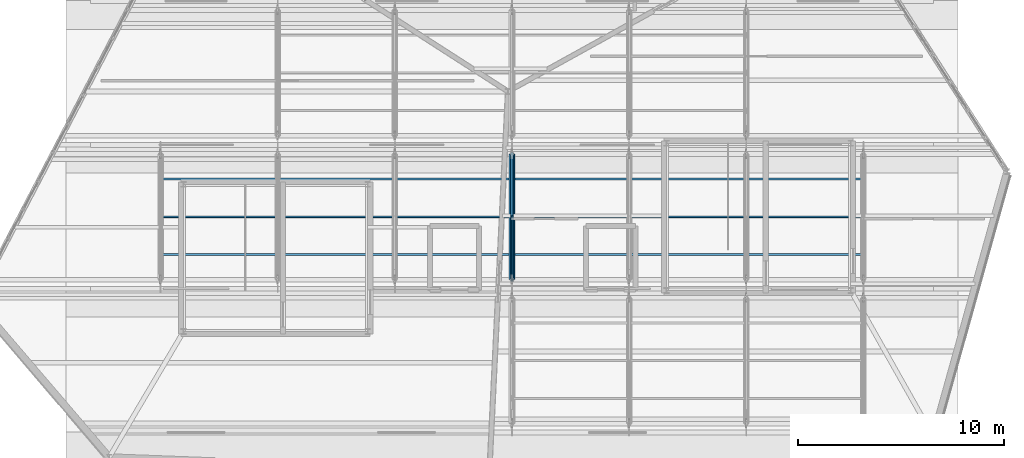
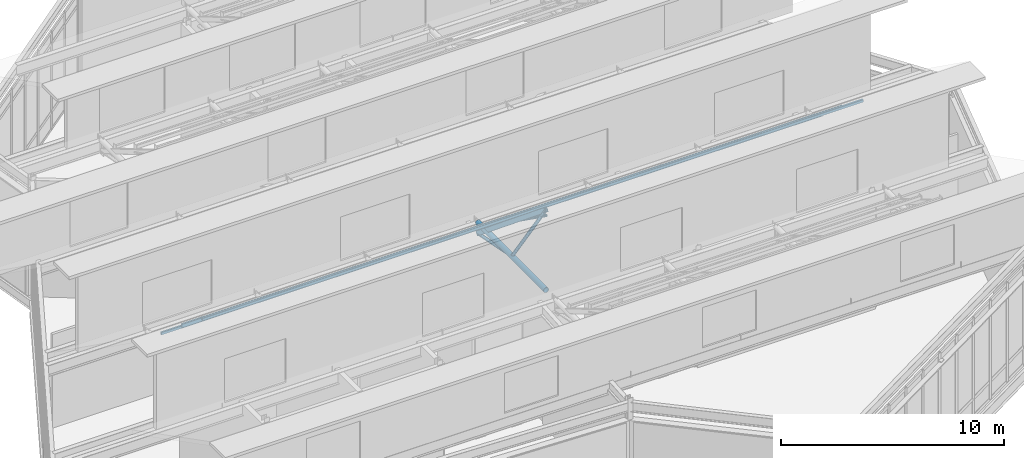
# One storey, part 18 of 55: 5 members, 3 beams.
"""IFC4 building model written with IfcOpenShell, lengths in metres."""

from ifc_helpers import new_model, si_unit, direction, frame, origin, origin_2d, place, context, subcontext, project, spatial, hollow_rectangle, hollow_circle, extrude, material, material_profile, profile_set, type_object, element, save


model = new_model("IFC4")

# Units and contexts
model_context = context("Model", 3, precision=1e-05, world=origin(), true_north=direction((0.0, 1.0)))
body_context = subcontext(model_context, "Body", "Model", "MODEL_VIEW")
ifc_project = project(units=[si_unit("LENGTHUNIT", "METRE"), si_unit("AREAUNIT", "SQUARE_METRE"), si_unit("VOLUMEUNIT", "CUBIC_METRE"), si_unit("PLANEANGLEUNIT", "RADIAN"), si_unit("MASSUNIT", "GRAM", prefix="KILO")], contexts=[model_context])

# Site, building, storey
site_placement = place(None, origin())
site = spatial("IfcSite", under=ifc_project, at=site_placement, CompositionType="ELEMENT")
building_placement = place(site_placement, origin())
building = spatial("IfcBuilding", under=site, at=building_placement, Name="Tameran Prism Museum", CompositionType="ELEMENT")
storey_placement = place(building_placement, frame((0.0, 0.0, 28.800048828125)))
storey = spatial("IfcBuildingStorey", under=building, at=storey_placement, Name="L05", CompositionType="ELEMENT", Elevation=28.800048828125)

# Beams
ifc_material_1 = material(Name="Steel Grade C350L0 (350 MPa)", Category="steel")
ifc_material_profile_1 = material_profile(ifc_material_1, hollow_rectangle(XDim=0.10009765625, YDim=0.14990234375, WallThickness=0.006103515625, InnerFilletRadius=0.009033203125, OuterFilletRadius=0.014892578125, at=origin_2d()))
ifc_profile_set_1 = profile_set([ifc_material_profile_1])
beam_type_1 = type_object("IfcBeamType", Name="BM-PUR150", PredefinedType="USERDEFINED", material=ifc_profile_set_1)
for number, where, z_axis, x_axis, name in (
    (1, (101.89990234375, 81.1640625, 10.0390625), (1.0, 0.0, 0.0), (0.0, 1.0, 0.0), "Sawtooth Purlin PR-007"),
    (2, (101.89990234375, 84.8359375, 7.0390625), (1.0, 0.0, 0.0), (0.0, 1.0, 0.0), "Sawtooth Purlin PR-009"),
):
    element("IfcBeam", number, at=place(storey_placement, frame(where, z_axis=z_axis, x_axis=x_axis)), inside=storey, type_object=beam_type_1, Name=name, ObjectType="PURLIN", PredefinedType="USERDEFINED", context=body_context, shape_type="SweptSolid", body=[
        extrude(hollow_rectangle(XDim=0.10009765625, YDim=0.14990234375, WallThickness=0.006103515625, InnerFilletRadius=0.009033203125, OuterFilletRadius=0.014892578125, at=origin_2d()), origin(), (0.0, 0.0, 1.0), 34.2001953125),
    ])
ifc_material_2 = material(Name="Steel Grade C350L0 (350 MPa)", Category="steel")
ifc_material_profile_2 = material_profile(ifc_material_2, hollow_rectangle(XDim=0.10009765625, YDim=0.199951171875, WallThickness=0.008056640625, InnerFilletRadius=0.011962890625, OuterFilletRadius=0.02001953125, at=origin_2d()))
ifc_profile_set_2 = profile_set([ifc_material_profile_2])
beam_type_2 = type_object("IfcBeamType", Name="BM-PUR200", PredefinedType="USERDEFINED", material=ifc_profile_set_2)
beam_placement = place(storey_placement, frame((101.89990234375, 83.0, 8.571044921875), z_axis=(1.0, 0.0, 0.0), x_axis=(0.0, 1.0, 0.0)))
element("IfcBeam", 3, at=beam_placement, inside=storey, type_object=beam_type_2, Name="Sawtooth Purlin PR-008", ObjectType="PURLIN", PredefinedType="USERDEFINED", context=body_context, shape_type="SweptSolid", body=[
    extrude(hollow_rectangle(XDim=0.10009765625, YDim=0.199951171875, WallThickness=0.008056640625, InnerFilletRadius=0.011962890625, OuterFilletRadius=0.02001953125, at=origin_2d()), origin(), (0.0, 0.0, 1.0), 34.2001953125),
])

# Members
ifc_material_3 = material(Name="Steel Grade C350L0 (350 MPa)", Category="steel")
ifc_material_profile_3 = material_profile(ifc_material_3, hollow_circle(Radius=0.084228515625, WallThickness=0.007080078125, at=origin_2d()))
ifc_profile_set_3 = profile_set([ifc_material_profile_3])
member_type_1 = type_object("IfcMemberType", Name="MM-BR-CHS168", PredefinedType="BRACE", material=ifc_profile_set_3)
member_1_placement = place(storey_placement, frame((119.0, 83.0, 6.385986328125), z_axis=(0.0, -0.570800267729, 0.821088944244), x_axis=(1.0, 0.0, 0.0)))
element("IfcMember", 4, at=member_1_placement, inside=storey, type_object=member_type_1, Name="Sawtooth Brace STM-0054", PredefinedType="BRACE", context=body_context, shape_type="SweptSolid", body=[
    extrude(hollow_circle(Radius=0.084228515625, WallThickness=0.007080078125, at=origin_2d()), origin(), (0.0, 0.0, 1.0), 5.361083984375),
])
member_2_placement = place(storey_placement, frame((119.0, 83.0, 6.385986328125), z_axis=(0.0, 0.981426640065, -0.191837822575), x_axis=(-1.0, 0.0, 0.0)))
element("IfcMember", 5, at=member_2_placement, inside=storey, type_object=member_type_1, Name="Sawtooth Brace STM-0055", PredefinedType="BRACE", context=body_context, shape_type="SweptSolid", body=[
    extrude(hollow_circle(Radius=0.084228515625, WallThickness=0.007080078125, at=origin_2d()), origin(), (0.0, 0.0, 1.0), 3.117919921875),
])
ifc_material_4 = material(Name="Steel Grade C350L0 (350 MPa)", Category="steel")
ifc_material_profile_4 = material_profile(ifc_material_4, hollow_circle(Radius=0.136474609375, WallThickness=0.00927734375, at=origin_2d()))
ifc_profile_set_4 = profile_set([ifc_material_profile_4])
member_type_2 = type_object("IfcMemberType", Name="MM-CH-CHS273", PredefinedType="CHORD", material=ifc_profile_set_4)
member_3_placement = place(storey_placement, frame((119.0, 79.93994140625, 6.385986328125), z_axis=(0.0, 1.0, 0.0), x_axis=(-1.0, 0.0, 0.0)))
element("IfcMember", 6, at=member_3_placement, inside=storey, type_object=member_type_2, Name="Sawtooth Chord STM-0050", PredefinedType="CHORD", context=body_context, shape_type="SweptSolid", body=[
    extrude(hollow_circle(Radius=0.136474609375, WallThickness=0.00927734375, at=origin_2d()), origin(), (0.0, 0.0, 1.0), 6.1201171875),
])
ifc_material_5 = material(Name="Steel Grade C350L0 (350 MPa)", Category="steel")
ifc_material_profile_5 = material_profile(ifc_material_5, hollow_rectangle(XDim=0.14990234375, YDim=0.25, WallThickness=0.009033203125, InnerFilletRadius=0.013427734375, OuterFilletRadius=0.0224609375, at=origin_2d()))
ifc_profile_set_5 = profile_set([ifc_material_profile_5])
member_type_3 = type_object("IfcMemberType", Name="MM-RF-RHS250", PredefinedType="RAFTER", material=ifc_profile_set_5)
member_4_placement = place(storey_placement, frame((119.0, 79.93994140625, 10.787841796875), z_axis=(0.0, 0.774414062505, -0.632679112817), x_axis=(-1.0, 0.0, 0.0)))
element("IfcMember", 7, at=member_4_placement, inside=storey, type_object=member_type_3, Name="Sawtooth Rafter STM-0051", PredefinedType="RAFTER", context=body_context, shape_type="SweptSolid", body=[
    extrude(hollow_rectangle(XDim=0.14990234375, YDim=0.25, WallThickness=0.009033203125, InnerFilletRadius=0.013427734375, OuterFilletRadius=0.0224609375, at=origin_2d()), origin(), (0.0, 0.0, 1.0), 7.90283203125),
])
ifc_material_6 = material(Name="Steel Grade C350L0 (350 MPa)", Category="steel")
ifc_material_profile_6 = material_profile(ifc_material_6, hollow_circle(Radius=0.06982421875, WallThickness=0.00634765625, at=origin_2d()))
ifc_profile_set_6 = profile_set([ifc_material_profile_6])
member_type_4 = type_object("IfcMemberType", Name="MM-ST-CHS140", PredefinedType="STRUT", material=ifc_profile_set_6)
member_5_placement = place(storey_placement, frame((119.0, 79.93994140625, 10.468017578125), z_axis=(0.0, 0.814435342728, -0.580254317102), x_axis=(-1.0, 0.0, 0.0)))
element("IfcMember", 8, at=member_5_placement, inside=storey, type_object=member_type_4, Name="Sawtooth Strut STM-0056", PredefinedType="STRUT", context=body_context, shape_type="SweptSolid", body=[
    extrude(hollow_circle(Radius=0.06982421875, WallThickness=0.00634765625, at=origin_2d()), origin(), (0.0, 0.0, 1.0), 3.75732421875),
])

save(model, "model.ifc")
